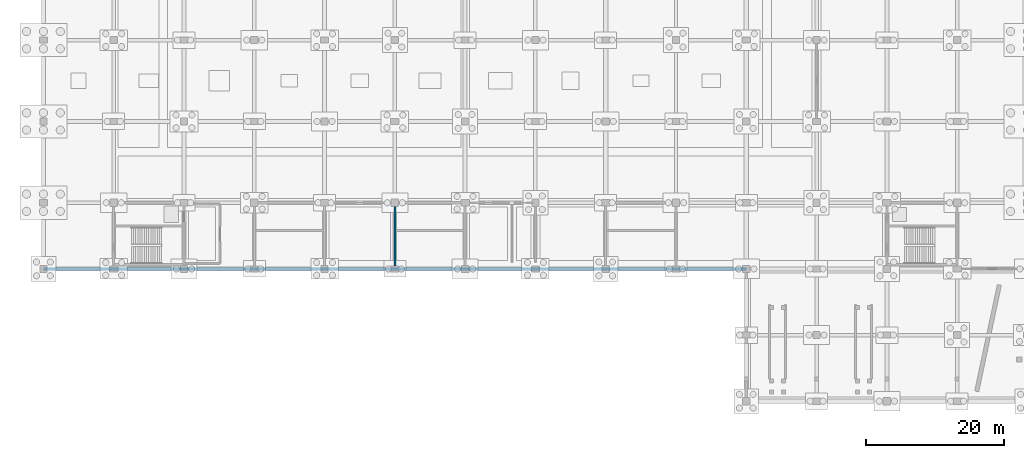
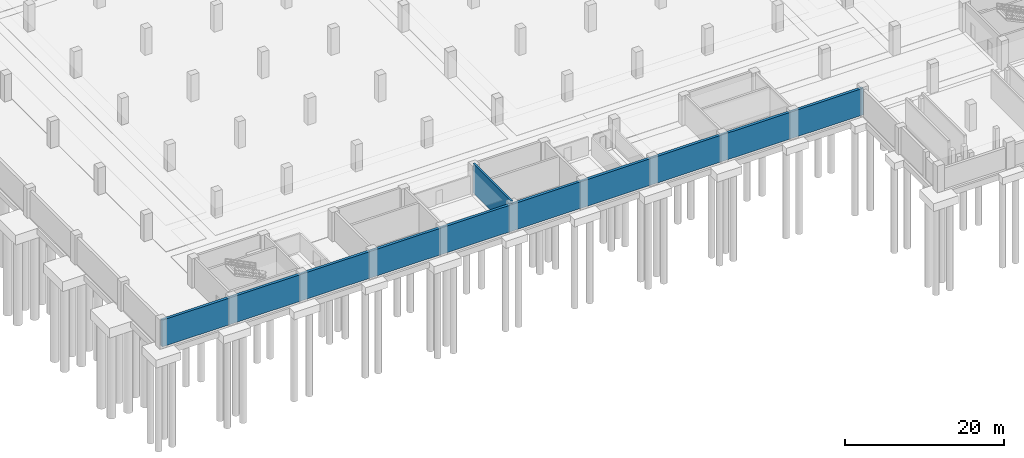
# One storey, part 28 of 52: 2 walls.
"""IFC4 building model written with IfcOpenShell, lengths in metres."""

from ifc_helpers import new_model, si_unit, direction, frame, frame_2d, origin, place, context, subcontext, project, spatial, rectangle, extrude, material, layer, layer_set, type_object, element, save


model = new_model("IFC4")

# Units and contexts
model_context = context("Model", 3, precision=1e-05, world=origin(), true_north=direction((0.0, 1.0)))
body_context = subcontext(model_context, "Body", "Model", "MODEL_VIEW")
ifc_project = project(units=[si_unit("LENGTHUNIT", "METRE"), si_unit("AREAUNIT", "SQUARE_METRE"), si_unit("VOLUMEUNIT", "CUBIC_METRE"), si_unit("PLANEANGLEUNIT", "RADIAN"), si_unit("MASSUNIT", "GRAM", prefix="KILO")], contexts=[model_context])

# Site, building, storey
site_placement = place(None, origin())
site = spatial("IfcSite", under=ifc_project, at=site_placement, CompositionType="ELEMENT")
building_placement = place(site_placement, origin())
building = spatial("IfcBuilding", under=site, at=building_placement, Name="Brelvane Convention Centre", CompositionType="ELEMENT")
storey_placement = place(building_placement, frame((0.0, 0.0, -4.5)))
storey = spatial("IfcBuildingStorey", under=building, at=storey_placement, Name="B1", CompositionType="ELEMENT", Elevation=-4.5)

# Walls
ifc_material_1 = material(Name="Concrete M50", Category="concrete")
ifc_layer_1 = layer(ifc_material_1, 0.300048828125)
ifc_layer_set_1 = layer_set([ifc_layer_1], Name="Concrete M50")
wall_type_1 = type_object("IfcWallType", Name="Structural Wall WL-CORE-300", PredefinedType="SHEAR", material=ifc_layer_set_1)
wall_1_placement = place(storey_placement, frame((51.0, 19.199951171875, 0.0), z_axis=(0.0, 0.0, 1.0), x_axis=(0.0, 1.0, 0.0)))
element("IfcWall", 1, at=wall_1_placement, inside=storey, type_object=wall_type_1, Name="Stair Core ST-09 Wall W (B1)", PredefinedType="SHEAR", context=body_context, shape_type="SweptSolid", body=[
    extrude(rectangle(XDim=9.60009765625, YDim=0.300048828125, at=frame_2d((4.800048828125, 0.0))), origin(), (0.0, 0.0, 1.0), 4.5),
])
ifc_material_2 = material(Name="Concrete M40", Category="concrete")
ifc_layer_2 = layer(ifc_material_2, 0.39990234375)
ifc_layer_set_2 = layer_set([ifc_layer_2], Name="Concrete M40")
wall_type_2 = type_object("IfcWallType", Name="Structural Wall WL-RET-400", PredefinedType="SOLIDWALL", material=ifc_layer_set_2)
wall_2_placement = place(storey_placement, frame((0.0, 19.199951171875, 0.0), z_axis=(0.0, 0.0, 1.0), x_axis=(1.0, 0.0, 0.0)))
element("IfcWall", 2, at=wall_2_placement, inside=storey, type_object=wall_type_2, Name="Basement Retaining Wall S-WEST", PredefinedType="SOLIDWALL", context=body_context, shape_type="SweptSolid", body=[
    extrude(rectangle(XDim=102.0, YDim=0.39990234375, at=frame_2d((51.0, 0.0))), origin(), (0.0, 0.0, 1.0), 4.10009765625),
])

save(model, "model.ifc")
